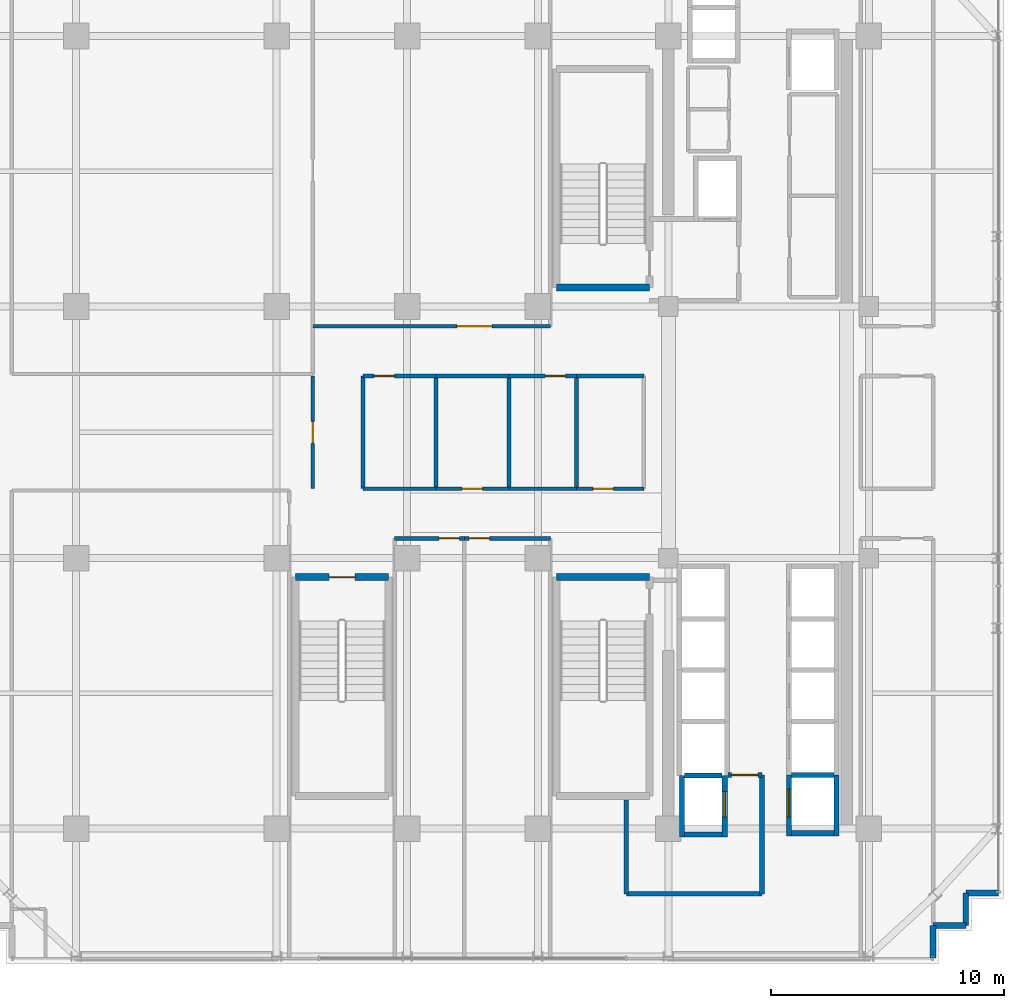
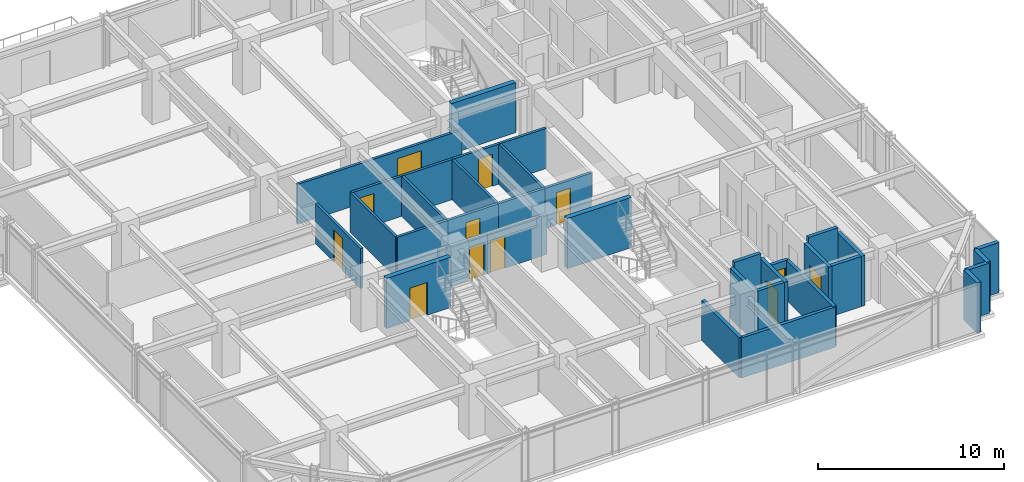
# One storey, part 26 of 32: 35 walls, 12 doors, 12 openings.
"""IFC4 building model written with IfcOpenShell, lengths in metres."""

from ifc_helpers import new_model, si_unit, direction, frame, frame_2d, origin, place, context, subcontext, project, spatial, rectangle, extrude, source, transform, mapped, material, layer, layer_set, type_object, element, fill, save


model = new_model("IFC4")

# Units and contexts
model_context = context("Model", 3, precision=1e-05, world=origin(), true_north=direction((0.0, 1.0)))
body_context = subcontext(model_context, "Body", "Model", "MODEL_VIEW")
ifc_project = project(units=[si_unit("LENGTHUNIT", "METRE"), si_unit("AREAUNIT", "SQUARE_METRE"), si_unit("VOLUMEUNIT", "CUBIC_METRE"), si_unit("PLANEANGLEUNIT", "RADIAN"), si_unit("MASSUNIT", "GRAM", prefix="KILO")], contexts=[model_context])

# Site, building, storey
site_placement = place(None, origin())
site = spatial("IfcSite", under=ifc_project, at=site_placement, CompositionType="ELEMENT")
building_placement = place(site_placement, origin())
building = spatial("IfcBuilding", under=site, at=building_placement, Name="Nahalor Promenade Grand Hotel", CompositionType="ELEMENT")
storey_placement = place(building_placement, frame((0.0, 0.0, 196.449951171875)))
storey = spatial("IfcBuildingStorey", under=building, at=storey_placement, Name="L50", CompositionType="ELEMENT", Elevation=196.449951171875)

# Walls
ifc_material_1 = material(Name="Concrete B-50 (C40/50)", Category="concrete")
ifc_layer_1 = layer(ifc_material_1, 0.300048828125)
ifc_layer_set_1 = layer_set([ifc_layer_1], Name="Concrete B-50 (C40/50)")
wall_type_1 = type_object("IfcWallType", Name="Wall-ShaftShear-300", PredefinedType="SHEAR", material=ifc_layer_set_1)
shared_shape_1 = source(origin(), body_context, "Body", "SweptSolid", [
    extrude(rectangle(XDim=3.97998046875, YDim=0.300048828125, at=frame_2d((1.989990234375, 0.0))), origin(), (0.0, 0.0, 1.0), 3.2900390625),
])
for number, where, z_axis, x_axis, name in (
    (1, (3.610107421875, 6.2099609375, 0.0), (0.0, 0.0, 1.0), (1.0, 0.0, 0.0), "L50 Exit Stair ST1 Shaft Wall S"),
    (2, (3.610107421875, -6.2099609375, 0.0), (0.0, 0.0, 1.0), (1.0, 0.0, 0.0), "L50 Exit Stair ST2 Shaft Wall N"),
):
    element("IfcWall", number, at=place(storey_placement, frame(where, z_axis=z_axis, x_axis=x_axis)), inside=storey, type_object=wall_type_1, Name=name, PredefinedType="SHEAR", context=body_context, shape_type="MappedRepresentation", body=[
        mapped(shared_shape_1, transform((0.0, 0.0, 0.0), scale=1.0)),
    ])

# Wall, opening, door
wall_1_placement = place(storey_placement, frame((-7.590087890625, -6.2099609375, 0.0), z_axis=(0.0, 0.0, 1.0), x_axis=(1.0, 0.0, 0.0)))
wall_1 = element("IfcWall", 3, at=wall_1_placement, inside=storey, type_object=wall_type_1, Name="L50 Exit Stair ST3 Shaft Wall N", PredefinedType="SHEAR", context=body_context, shape_type="MappedRepresentation", body=[
    mapped(shared_shape_1, transform((0.0, 0.0, 0.0), scale=1.0)),
])
opening_1_placement = place(wall_1_placement, frame((1.43994140625, 0.0, 0.0)))
opening_1 = element("IfcOpeningElement", 4, at=opening_1_placement, cuts=wall_1, Name="Opening D-ST1", PredefinedType="OPENING", context=body_context, shape_type="SweptSolid", body=[
    extrude(rectangle(XDim=1.10009765625, YDim=2.14990234375, at=frame_2d((0.550048828125, 1.074951171875))), frame((0.0, 0.159912109375, 0.0), z_axis=(0.0, -1.0, 0.0), x_axis=(1.0, 0.0, 0.0)), (0.0, 0.0, 1.0), 0.320068359375),
])
ifc_material_2 = material(Name="Steel S355JR", Category="steel")
door_type_1 = type_object("IfcDoorType", Name="Door-StairFire-1100", OperationType="NOTDEFINED", PredefinedType="DOOR", material=ifc_material_2)
shared_shape_2 = source(origin(), body_context, "Body", "SweptSolid", [
    extrude(rectangle(XDim=1.10009765625, YDim=2.14990234375, at=frame_2d((0.550048828125, 1.074951171875))), frame((0.0, 0.02490234375, 0.0), z_axis=(0.0, -1.0, 0.0), x_axis=(1.0, 0.0, 0.0)), (0.0, 0.0, 1.0), 0.050048828125),
])
door_1_placement = place(opening_1_placement, frame((1.10009765625, 0.0, 0.0), z_axis=(0.0, 0.0, 1.0), x_axis=(-1.0, 0.0, 0.0)))
door_1 = element("IfcDoor", 5, at=door_1_placement, inside=storey, type_object=door_type_1, Name="DR-STAIR-ST3-L50", OperationType="SINGLE_SWING_LEFT", OverallHeight=2.14990234375, OverallWidth=1.10009765625, PredefinedType="DOOR", context=body_context, shape_type="MappedRepresentation", body=[
    mapped(shared_shape_2, transform((0.0, 0.0, 0.0), scale=1.0)),
])
fill(opening_1, door_1)

# Walls
ifc_layer_2 = layer(ifc_material_1, 0.219970703125)
ifc_layer_set_2 = layer_set([ifc_layer_2], Name="Concrete B-50 (C40/50)")
wall_type_2 = type_object("IfcWallType", Name="Wall-LiftShaft-220", PredefinedType="SHEAR", material=ifc_layer_set_2)
shared_shape_3 = source(origin(), body_context, "Body", "SweptSolid", [
    extrude(rectangle(XDim=1.820068359375, YDim=0.219970703125, at=frame_2d((0.91015625, 0.0))), origin(), (0.0, 0.0, 1.0), 3.650146484375),
])
wall_2_placement = place(storey_placement, frame((13.68994140625, -14.699951171875, 0.0), z_axis=(0.0, 0.0, 1.0), x_axis=(1.0, 0.0, 0.0)))
element("IfcWall", 6, at=wall_2_placement, inside=storey, type_object=wall_type_2, Name="L50 Lift SV2 Hoistway Wall N", PredefinedType="SHEAR", context=body_context, shape_type="MappedRepresentation", body=[
    mapped(shared_shape_3, transform((0.0, 0.0, 0.0), scale=1.0)),
])
shared_shape_4 = source(origin(), body_context, "Body", "SweptSolid", [
    extrude(rectangle(XDim=1.820068359375, YDim=0.219970703125, at=frame_2d((0.91015625, 0.0))), origin(), (0.0, 0.0, 1.0), 3.2900390625),
])
wall_3_placement = place(storey_placement, frame((13.68994140625, -17.199951171875, 0.0), z_axis=(0.0, 0.0, 1.0), x_axis=(1.0, 0.0, 0.0)))
element("IfcWall", 7, at=wall_3_placement, inside=storey, type_object=wall_type_2, Name="L50 Lift SV2 Hoistway Wall S", PredefinedType="SHEAR", context=body_context, shape_type="MappedRepresentation", body=[
    mapped(shared_shape_4, transform((0.0, 0.0, 0.0), scale=1.0)),
])
shared_shape_5 = source(origin(), body_context, "Body", "SweptSolid", [
    extrude(rectangle(XDim=1.619873046875, YDim=0.219970703125, at=frame_2d((0.81005859375, 0.0))), origin(), (0.0, 0.0, 1.0), 3.650146484375),
])
wall_4_placement = place(storey_placement, frame((9.090087890625, -14.72509765625, 0.0), z_axis=(0.0, 0.0, 1.0), x_axis=(1.0, 0.0, 0.0)))
element("IfcWall", 8, at=wall_4_placement, inside=storey, type_object=wall_type_2, Name="L50 Lift FL2 Hoistway Wall N", PredefinedType="SHEAR", context=body_context, shape_type="MappedRepresentation", body=[
    mapped(shared_shape_5, transform((0.0, 0.0, 0.0), scale=1.0)),
])
shared_shape_6 = source(origin(), body_context, "Body", "SweptSolid", [
    extrude(rectangle(XDim=2.635009765625, YDim=0.219970703125, at=frame_2d((1.3173828125, 0.0))), origin(), (0.0, 0.0, 1.0), 3.2900390625),
])
wall_5_placement = place(storey_placement, frame((8.97998046875, -17.360107421875, 0.0), z_axis=(0.0, 0.0, 1.0), x_axis=(0.0, 1.0, 0.0)))
element("IfcWall", 9, at=wall_5_placement, inside=storey, type_object=wall_type_2, Name="L50 Lift FL2 Hoistway Wall W", PredefinedType="SHEAR", context=body_context, shape_type="MappedRepresentation", body=[
    mapped(shared_shape_6, transform((0.0, 0.0, 0.0), scale=1.0)),
])

# Wall, opening, door
wall_6_placement = place(storey_placement, frame((10.820068359375, -17.360107421875, 0.0), z_axis=(0.0, 0.0, 1.0), x_axis=(0.0, 1.0, 0.0)))
wall_6 = element("IfcWall", 10, at=wall_6_placement, inside=storey, type_object=wall_type_2, Name="L50 Lift FL2 Hoistway Wall E", PredefinedType="SHEAR", context=body_context, shape_type="MappedRepresentation", body=[
    mapped(shared_shape_6, transform((0.0, 0.0, 0.0), scale=1.0)),
])
opening_2_placement = place(wall_6_placement, frame((0.860107421875, 0.0, 0.0)))
opening_2 = element("IfcOpeningElement", 11, at=opening_2_placement, cuts=wall_6, Name="Opening LD-02", PredefinedType="OPENING", context=body_context, shape_type="SweptSolid", body=[
    extrude(rectangle(XDim=1.10009765625, YDim=2.199951171875, at=frame_2d((0.550048828125, 1.10009765625))), frame((0.0, 0.119873046875, 0.0), z_axis=(0.0, -1.0, 0.0), x_axis=(1.0, 0.0, 0.0)), (0.0, 0.0, 1.0), 0.239990234375),
])
door_type_2 = type_object("IfcDoorType", Name="Door-LiftFF-1100", OperationType="DOUBLE_DOOR_SLIDING", PredefinedType="DOOR", material=ifc_material_2)
shared_shape_7 = source(origin(), body_context, "Body", "SweptSolid", [
    extrude(rectangle(XDim=1.10009765625, YDim=2.199951171875, at=frame_2d((0.550048828125, 1.10009765625))), frame((0.0, 0.02490234375, 0.0), z_axis=(0.0, -1.0, 0.0), x_axis=(1.0, 0.0, 0.0)), (0.0, 0.0, 1.0), 0.050048828125),
])
door_2_placement = place(opening_2_placement, frame((1.10009765625, 0.0, 0.0), z_axis=(0.0, 0.0, 1.0), x_axis=(-1.0, 0.0, 0.0)))
door_2 = element("IfcDoor", 12, at=door_2_placement, inside=storey, type_object=door_type_2, Name="DR-LIFT-FL2-L50", OperationType="DOUBLE_DOOR_SLIDING", OverallHeight=2.199951171875, OverallWidth=1.10009765625, PredefinedType="DOOR", context=body_context, shape_type="MappedRepresentation", body=[
    mapped(shared_shape_7, transform((0.0, 0.0, 0.0), scale=1.0)),
])
fill(opening_2, door_2)

# Wall
shared_shape_8 = source(origin(), body_context, "Body", "SweptSolid", [
    extrude(rectangle(XDim=1.619873046875, YDim=0.219970703125, at=frame_2d((0.81005859375, 0.0))), origin(), (0.0, 0.0, 1.0), 3.2900390625),
])
wall_7_placement = place(storey_placement, frame((9.090087890625, -17.25, 0.0), z_axis=(0.0, 0.0, 1.0), x_axis=(1.0, 0.0, 0.0)))
element("IfcWall", 13, at=wall_7_placement, inside=storey, type_object=wall_type_2, Name="L50 Lift FL2 Hoistway Wall S", PredefinedType="SHEAR", context=body_context, shape_type="MappedRepresentation", body=[
    mapped(shared_shape_8, transform((0.0, 0.0, 0.0), scale=1.0)),
])

# Wall, opening, door
shared_shape_9 = source(origin(), body_context, "Body", "SweptSolid", [
    extrude(rectangle(XDim=2.610107421875, YDim=0.219970703125, at=frame_2d((1.30517578125, 0.0))), origin(), (0.0, 0.0, 1.0), 3.2900390625),
])
wall_8_placement = place(storey_placement, frame((13.580078125, -17.31005859375, 0.0), z_axis=(0.0, 0.0, 1.0), x_axis=(0.0, 1.0, 0.0)))
wall_8 = element("IfcWall", 14, at=wall_8_placement, inside=storey, type_object=wall_type_2, Name="L50 Lift SV2 Hoistway Wall W", PredefinedType="SHEAR", context=body_context, shape_type="MappedRepresentation", body=[
    mapped(shared_shape_9, transform((0.0, 0.0, 0.0), scale=1.0)),
])
opening_3_placement = place(wall_8_placement, frame((0.81005859375, 0.0, 0.0)))
opening_3 = element("IfcOpeningElement", 15, at=opening_3_placement, cuts=wall_8, Name="Opening LD-03", PredefinedType="OPENING", context=body_context, shape_type="SweptSolid", body=[
    extrude(rectangle(XDim=1.199951171875, YDim=2.199951171875, at=frame_2d((0.60009765625, 1.10009765625))), frame((0.0, 0.119873046875, 0.0), z_axis=(0.0, -1.0, 0.0), x_axis=(1.0, 0.0, 0.0)), (0.0, 0.0, 1.0), 0.239990234375),
])
door_type_3 = type_object("IfcDoorType", Name="Door-LiftService-1200", OperationType="DOUBLE_DOOR_SLIDING", PredefinedType="DOOR", material=ifc_material_2)
shared_shape_10 = source(origin(), body_context, "Body", "SweptSolid", [
    extrude(rectangle(XDim=1.199951171875, YDim=2.199951171875, at=frame_2d((0.60009765625, 1.10009765625))), frame((0.0, 0.02490234375, 0.0), z_axis=(0.0, -1.0, 0.0), x_axis=(1.0, 0.0, 0.0)), (0.0, 0.0, 1.0), 0.050048828125),
])
door_3_placement = place(opening_3_placement, origin())
door_3 = element("IfcDoor", 16, at=door_3_placement, inside=storey, type_object=door_type_3, Name="DR-LIFT-SV2-L50", OperationType="DOUBLE_DOOR_SLIDING", OverallHeight=2.199951171875, OverallWidth=1.199951171875, PredefinedType="DOOR", context=body_context, shape_type="MappedRepresentation", body=[
    mapped(shared_shape_10, transform((0.0, 0.0, 0.0), scale=1.0)),
])
fill(opening_3, door_3)

# Walls
wall_9_placement = place(storey_placement, frame((15.6201171875, -17.31005859375, 0.0), z_axis=(0.0, 0.0, 1.0), x_axis=(0.0, 1.0, 0.0)))
element("IfcWall", 17, at=wall_9_placement, inside=storey, type_object=wall_type_2, Name="L50 Lift SV2 Hoistway Wall E", PredefinedType="SHEAR", context=body_context, shape_type="MappedRepresentation", body=[
    mapped(shared_shape_9, transform((0.0, 0.0, 0.0), scale=1.0)),
])
ifc_material_3 = material(Name="Concrete B-40 (C32/40)", Category="concrete")
ifc_layer_3 = layer(ifc_material_3, 0.25)
ifc_layer_set_3 = layer_set([ifc_layer_3], Name="Concrete B-40 (C32/40)")
wall_type_3 = type_object("IfcWallType", Name="Wall-BronzePier-250", PredefinedType="STANDARD", material=ifc_layer_set_3)
shared_shape_11 = source(origin(), body_context, "Body", "SweptSolid", [
    extrude(rectangle(XDim=1.400146484375, YDim=0.25, at=frame_2d((0.7001953125, 0.0))), origin(), (0.0, 0.0, 1.0), 3.2900390625),
])
for number, where, z_axis, x_axis, name in (
    (18, (19.760009765625, -22.56005859375, 0.0), (0.0, 0.0, 1.0), (0.0, 1.0, 0.0), "W-L50-SR-01"),
    (19, (21.159912109375, -19.760009765625, 0.0), (0.0, 0.0, 1.0), (1.0, 0.0, 0.0), "W-L50-SR-04"),
):
    element("IfcWall", number, at=place(storey_placement, frame(where, z_axis=z_axis, x_axis=x_axis)), inside=storey, type_object=wall_type_3, Name=name, PredefinedType="STANDARD", context=body_context, shape_type="MappedRepresentation", body=[
        mapped(shared_shape_11, transform((0.0, 0.0, 0.0), scale=1.0)),
    ])
shared_shape_12 = source(origin(), body_context, "Body", "SweptSolid", [
    extrude(rectangle(XDim=1.39990234375, YDim=0.25, at=frame_2d((0.699951171875, 0.0))), origin(), (0.0, 0.0, 1.0), 3.2900390625),
])
for number, where, z_axis, x_axis, name in (
    (20, (19.760009765625, -21.159912109375, 0.0), (0.0, 0.0, 1.0), (1.0, 0.0, 0.0), "W-L50-SR-02"),
    (21, (21.159912109375, -21.159912109375, 0.0), (0.0, 0.0, 1.0), (0.0, 1.0, 0.0), "W-L50-SR-03"),
):
    element("IfcWall", number, at=place(storey_placement, frame(where, z_axis=z_axis, x_axis=x_axis)), inside=storey, type_object=wall_type_3, Name=name, PredefinedType="STANDARD", context=body_context, shape_type="MappedRepresentation", body=[
        mapped(shared_shape_12, transform((0.0, 0.0, 0.0), scale=1.0)),
    ])
ifc_layer_4 = layer(ifc_material_3, 0.199951171875)
ifc_layer_set_4 = layer_set([ifc_layer_4], Name="Concrete B-40 (C32/40)")
wall_type_4 = type_object("IfcWallType", Name="Wall-PartFire-200", PredefinedType="PARTITIONING", material=ifc_layer_set_4)
shared_shape_13 = source(origin(), body_context, "Body", "SweptSolid", [
    extrude(rectangle(XDim=5.81982421875, YDim=0.199951171875, at=frame_2d((2.909912109375, 0.0))), origin(), (0.0, 0.0, 1.0), 2.630126953125),
])
wall_10_placement = place(storey_placement, frame((6.60009765625, -19.800048828125, 0.0), z_axis=(0.0, 0.0, 1.0), x_axis=(1.0, 0.0, 0.0)))
element("IfcWall", 22, at=wall_10_placement, inside=storey, type_object=wall_type_4, Name="W-L50-FF2-S1", PredefinedType="PARTITIONING", context=body_context, shape_type="MappedRepresentation", body=[
    mapped(shared_shape_13, transform((0.0, 0.0, 0.0), scale=1.0)),
])
shared_shape_14 = source(origin(), body_context, "Body", "SweptSolid", [
    extrude(rectangle(XDim=4.030029296875, YDim=0.199951171875, at=frame_2d((2.01513671875, 0.0))), origin(), (0.0, 0.0, 1.0), 2.630126953125),
])
wall_11_placement = place(storey_placement, frame((6.60009765625, -19.800048828125, 0.0), z_axis=(0.0, 0.0, 1.0), x_axis=(0.0, 1.0, 0.0)))
element("IfcWall", 23, at=wall_11_placement, inside=storey, type_object=wall_type_4, Name="W-L50-FF2-W1", PredefinedType="PARTITIONING", context=body_context, shape_type="MappedRepresentation", body=[
    mapped(shared_shape_14, transform((0.0, 0.0, 0.0), scale=1.0)),
])
shared_shape_15 = source(origin(), body_context, "Body", "SweptSolid", [
    extrude(rectangle(XDim=5.10009765625, YDim=0.199951171875, at=frame_2d((2.550048828125, 0.0))), origin(), (0.0, 0.0, 1.0), 2.630126953125),
])
wall_12_placement = place(storey_placement, frame((12.419921875, -19.800048828125, 0.0), z_axis=(0.0, 0.0, 1.0), x_axis=(0.0, 1.0, 0.0)))
element("IfcWall", 24, at=wall_12_placement, inside=storey, type_object=wall_type_4, Name="W-L50-FF2-E", PredefinedType="PARTITIONING", context=body_context, shape_type="MappedRepresentation", body=[
    mapped(shared_shape_15, transform((0.0, 0.0, 0.0), scale=1.0)),
])

# Wall, opening, door
shared_shape_16 = source(origin(), body_context, "Body", "SweptSolid", [
    extrude(rectangle(XDim=1.4599609375, YDim=0.199951171875, at=frame_2d((0.72998046875, 0.0))), origin(), (0.0, 0.0, 1.0), 2.630126953125),
])
wall_13_placement = place(storey_placement, frame((10.9599609375, -14.699951171875, 0.0), z_axis=(0.0, 0.0, 1.0), x_axis=(1.0, 0.0, 0.0)))
wall_13 = element("IfcWall", 25, at=wall_13_placement, inside=storey, type_object=wall_type_4, Name="W-L50-FF2-N1", PredefinedType="PARTITIONING", context=body_context, shape_type="MappedRepresentation", body=[
    mapped(shared_shape_16, transform((0.0, 0.0, 0.0), scale=1.0)),
])
opening_4_placement = place(wall_13_placement, frame((0.14501953125, 0.0, 0.0)))
opening_4 = element("IfcOpeningElement", 26, at=opening_4_placement, cuts=wall_13, Name="Opening D-FF1", PredefinedType="OPENING", context=body_context, shape_type="SweptSolid", body=[
    extrude(rectangle(XDim=1.14990234375, YDim=2.14990234375, at=frame_2d((0.574951171875, 1.074951171875))), frame((0.0, 0.10986328125, 0.0), z_axis=(0.0, -1.0, 0.0), x_axis=(1.0, 0.0, 0.0)), (0.0, 0.0, 1.0), 0.219970703125),
])
door_type_4 = type_object("IfcDoorType", Name="Door-FFLobby-1150", OperationType="NOTDEFINED", PredefinedType="DOOR", material=ifc_material_2)
shared_shape_17 = source(origin(), body_context, "Body", "SweptSolid", [
    extrude(rectangle(XDim=1.14990234375, YDim=2.14990234375, at=frame_2d((0.574951171875, 1.074951171875))), frame((0.0, 0.02490234375, 0.0), z_axis=(0.0, -1.0, 0.0), x_axis=(1.0, 0.0, 0.0)), (0.0, 0.0, 1.0), 0.050048828125),
])
door_4_placement = place(opening_4_placement, origin())
door_4 = element("IfcDoor", 27, at=door_4_placement, inside=storey, type_object=door_type_4, Name="DR-L50-FFL2", OperationType="SINGLE_SWING_LEFT", OverallHeight=2.14990234375, OverallWidth=1.14990234375, PredefinedType="DOOR", context=body_context, shape_type="MappedRepresentation", body=[
    mapped(shared_shape_17, transform((0.0, 0.0, 0.0), scale=1.0)),
])
fill(opening_4, door_4)

ifc_material_4 = material(Name="Acoustic Mineral Gypsum", Category="gypsum")
ifc_layer_5 = layer(ifc_material_4, 0.159912109375)
ifc_layer_set_5 = layer_set([ifc_layer_5], Name="Acoustic Mineral Gypsum")
wall_type_5 = type_object("IfcWallType", Name="Wall-PartCorridor-160", PredefinedType="PARTITIONING", material=ifc_layer_set_5)
shared_shape_18 = source(origin(), body_context, "Body", "SweptSolid", [
    extrude(rectangle(XDim=10.190185546875, YDim=0.159912109375, at=frame_2d((5.09521484375, 0.0))), origin(), (0.0, 0.0, 1.0), 2.630126953125),
])
wall_14_placement = place(storey_placement, frame((-6.85009765625, 4.550048828125, 0.0), z_axis=(0.0, 0.0, 1.0), x_axis=(1.0, 0.0, 0.0)))
wall_14 = element("IfcWall", 28, at=wall_14_placement, inside=storey, type_object=wall_type_5, Name="W-L50-CORR-N", PredefinedType="PARTITIONING", context=body_context, shape_type="MappedRepresentation", body=[
    mapped(shared_shape_18, transform((0.0, 0.0, 0.0), scale=1.0)),
])
opening_5_placement = place(wall_14_placement, frame((6.177978515625, 0.0, 0.0)))
opening_5 = element("IfcOpeningElement", 29, at=opening_5_placement, cuts=wall_14, Name="Opening D-02", PredefinedType="OPENING", context=body_context, shape_type="SweptSolid", body=[
    extrude(rectangle(XDim=1.5, YDim=2.14990234375, at=frame_2d((0.75, 1.074951171875))), frame((0.0, 0.08984375, 0.0), z_axis=(0.0, -1.0, 0.0), x_axis=(1.0, 0.0, 0.0)), (0.0, 0.0, 1.0), 0.179931640625),
])
ifc_material_5 = material(Name="Fire-Rated Timber Composite", Category="wood")
door_type_5 = type_object("IfcDoorType", Name="Door-SuiteDouble-1500", OperationType="DOUBLE_DOOR_SINGLE_SWING", PredefinedType="DOOR", material=ifc_material_5)
shared_shape_19 = source(origin(), body_context, "Body", "SweptSolid", [
    extrude(rectangle(XDim=1.5, YDim=2.14990234375, at=frame_2d((0.75, 1.074951171875))), frame((0.0, 0.02490234375, 0.0), z_axis=(0.0, -1.0, 0.0), x_axis=(1.0, 0.0, 0.0)), (0.0, 0.0, 1.0), 0.050048828125),
])
door_5_placement = place(opening_5_placement, origin())
door_5 = element("IfcDoor", 30, at=door_5_placement, inside=storey, type_object=door_type_5, Name="DR-L50-N1-ENT", OperationType="DOUBLE_DOOR_SINGLE_SWING", OverallHeight=2.14990234375, OverallWidth=1.5, PredefinedType="DOOR", context=body_context, shape_type="MappedRepresentation", body=[
    mapped(shared_shape_19, transform((0.0, 0.0, 0.0), scale=1.0)),
])
fill(opening_5, door_5)

shared_shape_20 = source(origin(), body_context, "Body", "SweptSolid", [
    extrude(rectangle(XDim=2.989990234375, YDim=0.159912109375, at=frame_2d((1.4951171875, 0.0))), origin(), (0.0, 0.0, 1.0), 2.630126953125),
])
wall_15_placement = place(storey_placement, frame((-3.340087890625, -4.550048828125, 0.0), z_axis=(0.0, 0.0, 1.0), x_axis=(1.0, 0.0, 0.0)))
wall_15 = element("IfcWall", 31, at=wall_15_placement, inside=storey, type_object=wall_type_5, Name="W-L50-SCB1-N", PredefinedType="PARTITIONING", context=body_context, shape_type="MappedRepresentation", body=[
    mapped(shared_shape_20, transform((0.0, 0.0, 0.0), scale=1.0)),
])
opening_6_placement = place(wall_15_placement, frame((1.89990234375, 0.0, 0.0)))
opening_6 = element("IfcOpeningElement", 32, at=opening_6_placement, cuts=wall_15, Name="Opening D-03", PredefinedType="OPENING", context=body_context, shape_type="SweptSolid", body=[
    extrude(rectangle(XDim=0.8798828125, YDim=2.10009765625, at=frame_2d((0.43994140625, 1.050048828125))), frame((0.0, 0.08984375, 0.0), z_axis=(0.0, -1.0, 0.0), x_axis=(1.0, 0.0, 0.0)), (0.0, 0.0, 1.0), 0.179931640625),
])
door_type_6 = type_object("IfcDoorType", Name="Door-BathSwing-880", OperationType="NOTDEFINED", PredefinedType="DOOR", material=ifc_material_5)
shared_shape_21 = source(origin(), body_context, "Body", "SweptSolid", [
    extrude(rectangle(XDim=0.8798828125, YDim=2.10009765625, at=frame_2d((0.43994140625, 1.050048828125))), frame((0.0, 0.02490234375, 0.0), z_axis=(0.0, -1.0, 0.0), x_axis=(1.0, 0.0, 0.0)), (0.0, 0.0, 1.0), 0.050048828125),
])
door_6_placement = place(opening_6_placement, frame((0.8798828125, 0.0, 0.0), z_axis=(0.0, 0.0, 1.0), x_axis=(-1.0, 0.0, 0.0)))
door_6 = element("IfcDoor", 33, at=door_6_placement, inside=storey, type_object=door_type_6, Name="DR-L50-SCB1", OperationType="SINGLE_SWING_LEFT", OverallHeight=2.10009765625, OverallWidth=0.8798828125, PredefinedType="DOOR", context=body_context, shape_type="MappedRepresentation", body=[
    mapped(shared_shape_21, transform((0.0, 0.0, 0.0), scale=1.0)),
])
fill(opening_6, door_6)

shared_shape_22 = source(origin(), body_context, "Body", "SweptSolid", [
    extrude(rectangle(XDim=3.690185546875, YDim=0.159912109375, at=frame_2d((1.84521484375, 0.0))), origin(), (0.0, 0.0, 1.0), 2.630126953125),
])
wall_16_placement = place(storey_placement, frame((-0.35009765625, -4.550048828125, 0.0), z_axis=(0.0, 0.0, 1.0), x_axis=(1.0, 0.0, 0.0)))
wall_16 = element("IfcWall", 34, at=wall_16_placement, inside=storey, type_object=wall_type_5, Name="W-L50-SCB2-N", PredefinedType="PARTITIONING", context=body_context, shape_type="MappedRepresentation", body=[
    mapped(shared_shape_22, transform((0.0, 0.0, 0.0), scale=1.0)),
])
opening_7_placement = place(wall_16_placement, frame((0.2099609375, 0.0, 0.0)))
opening_7 = element("IfcOpeningElement", 35, at=opening_7_placement, cuts=wall_16, Name="Opening D-03", PredefinedType="OPENING", context=body_context, shape_type="SweptSolid", body=[
    extrude(rectangle(XDim=0.8798828125, YDim=2.10009765625, at=frame_2d((0.43994140625, 1.050048828125))), frame((0.0, 0.08984375, 0.0), z_axis=(0.0, -1.0, 0.0), x_axis=(1.0, 0.0, 0.0)), (0.0, 0.0, 1.0), 0.179931640625),
])
door_7_placement = place(opening_7_placement, frame((0.8798828125, 0.0, 0.0), z_axis=(0.0, 0.0, 1.0), x_axis=(-1.0, 0.0, 0.0)))
door_7 = element("IfcDoor", 36, at=door_7_placement, inside=storey, type_object=door_type_6, Name="DR-L50-SCB2", OperationType="SINGLE_SWING_RIGHT", OverallHeight=2.10009765625, OverallWidth=0.8798828125, PredefinedType="DOOR", context=body_context, shape_type="MappedRepresentation", body=[
    mapped(shared_shape_21, transform((0.0, 0.0, 0.0), scale=1.0)),
])
fill(opening_7, door_7)

shared_shape_23 = source(origin(), body_context, "Body", "SweptSolid", [
    extrude(rectangle(XDim=4.83984375, YDim=0.159912109375, at=frame_2d((2.419921875, 0.0))), origin(), (0.0, 0.0, 1.0), 2.630126953125),
])
wall_17_placement = place(storey_placement, frame((-6.85009765625, -2.419921875, 0.0), z_axis=(0.0, 0.0, 1.0), x_axis=(0.0, 1.0, 0.0)))
wall_17 = element("IfcWall", 37, at=wall_17_placement, inside=storey, type_object=wall_type_5, Name="W-L50-WEST-E", PredefinedType="PARTITIONING", context=body_context, shape_type="MappedRepresentation", body=[
    mapped(shared_shape_23, transform((0.0, 0.0, 0.0), scale=1.0)),
])
opening_8_placement = place(wall_17_placement, frame((1.945068359375, 0.0, 0.0)))
opening_8 = element("IfcOpeningElement", 38, at=opening_8_placement, cuts=wall_17, Name="Opening D-01", PredefinedType="OPENING", context=body_context, shape_type="SweptSolid", body=[
    extrude(rectangle(XDim=0.949951171875, YDim=2.10009765625, at=frame_2d((0.47509765625, 1.050048828125))), frame((0.0, 0.08984375, 0.0), z_axis=(0.0, -1.0, 0.0), x_axis=(1.0, 0.0, 0.0)), (0.0, 0.0, 1.0), 0.179931640625),
])
door_type_7 = type_object("IfcDoorType", Name="Door-GuestEntry-950", OperationType="NOTDEFINED", PredefinedType="DOOR", material=ifc_material_5)
shared_shape_24 = source(origin(), body_context, "Body", "SweptSolid", [
    extrude(rectangle(XDim=0.949951171875, YDim=2.10009765625, at=frame_2d((0.47509765625, 1.050048828125))), frame((0.0, 0.02490234375, 0.0), z_axis=(0.0, -1.0, 0.0), x_axis=(1.0, 0.0, 0.0)), (0.0, 0.0, 1.0), 0.050048828125),
])
door_8_placement = place(opening_8_placement, origin())
door_8 = element("IfcDoor", 39, at=door_8_placement, inside=storey, type_object=door_type_7, Name="DR-L50-W1-ENT", OperationType="SINGLE_SWING_RIGHT", OverallHeight=2.10009765625, OverallWidth=0.949951171875, PredefinedType="DOOR", context=body_context, shape_type="MappedRepresentation", body=[
    mapped(shared_shape_24, transform((0.0, 0.0, 0.0), scale=1.0)),
])
fill(opening_8, door_8)

# Walls
for number, where, z_axis, x_axis, name in (
    (40, (-4.699951171875, -2.419921875, 0.0), (0.0, 0.0, 1.0), (0.0, 1.0, 0.0), "W-L50-CM1-W"),
    (41, (-1.56689453125, -2.419921875, 0.0), (0.0, 0.0, 1.0), (0.0, 1.0, 0.0), "W-L50-CM1-E"),
    (42, (1.56591796875, -2.419921875, 0.0), (0.0, 0.0, 1.0), (0.0, 1.0, 0.0), "W-L50-CM2-E"),
    (43, (4.4580078125, -2.419921875, 0.0), (0.0, 0.0, 1.0), (0.0, 1.0, 0.0), "W-L50-CM3-E"),
):
    element("IfcWall", number, at=place(storey_placement, frame(where, z_axis=z_axis, x_axis=x_axis)), inside=storey, type_object=wall_type_5, Name=name, PredefinedType="PARTITIONING", context=body_context, shape_type="MappedRepresentation", body=[
        mapped(shared_shape_23, transform((0.0, 0.0, 0.0), scale=1.0)),
    ])
shared_shape_25 = source(origin(), body_context, "Body", "SweptSolid", [
    extrude(rectangle(XDim=3.133056640625, YDim=0.159912109375, at=frame_2d((1.56640625, 0.0))), origin(), (0.0, 0.0, 1.0), 2.630126953125),
])
wall_18_placement = place(storey_placement, frame((-4.699951171875, -2.419921875, 0.0), z_axis=(0.0, 0.0, 1.0), x_axis=(1.0, 0.0, 0.0)))
element("IfcWall", 44, at=wall_18_placement, inside=storey, type_object=wall_type_5, Name="W-L50-CM1-S", PredefinedType="PARTITIONING", context=body_context, shape_type="MappedRepresentation", body=[
    mapped(shared_shape_25, transform((0.0, 0.0, 0.0), scale=1.0)),
])

# Wall, opening, door
wall_19_placement = place(storey_placement, frame((-4.699951171875, 2.419921875, 0.0), z_axis=(0.0, 0.0, 1.0), x_axis=(1.0, 0.0, 0.0)))
wall_19 = element("IfcWall", 45, at=wall_19_placement, inside=storey, type_object=wall_type_5, Name="W-L50-CM1-N", PredefinedType="PARTITIONING", context=body_context, shape_type="MappedRepresentation", body=[
    mapped(shared_shape_25, transform((0.0, 0.0, 0.0), scale=1.0)),
])
opening_9_placement = place(wall_19_placement, frame((0.469970703125, 0.0, 0.0)))
opening_9 = element("IfcOpeningElement", 46, at=opening_9_placement, cuts=wall_19, Name="Opening D-03", PredefinedType="OPENING", context=body_context, shape_type="SweptSolid", body=[
    extrude(rectangle(XDim=0.8798828125, YDim=2.10009765625, at=frame_2d((0.43994140625, 1.050048828125))), frame((0.0, 0.08984375, 0.0), z_axis=(0.0, -1.0, 0.0), x_axis=(1.0, 0.0, 0.0)), (0.0, 0.0, 1.0), 0.179931640625),
])
door_9_placement = place(opening_9_placement, frame((0.8798828125, 0.0, 0.0), z_axis=(0.0, 0.0, 1.0), x_axis=(-1.0, 0.0, 0.0)))
door_9 = element("IfcDoor", 47, at=door_9_placement, inside=storey, type_object=door_type_6, Name="DR-L50-CM1", OperationType="SINGLE_SWING_LEFT", OverallHeight=2.10009765625, OverallWidth=0.8798828125, PredefinedType="DOOR", context=body_context, shape_type="MappedRepresentation", body=[
    mapped(shared_shape_21, transform((0.0, 0.0, 0.0), scale=1.0)),
])
fill(opening_9, door_9)

shared_shape_26 = source(origin(), body_context, "Body", "SweptSolid", [
    extrude(rectangle(XDim=3.1328125, YDim=0.159912109375, at=frame_2d((1.56640625, 0.0))), origin(), (0.0, 0.0, 1.0), 2.630126953125),
])
wall_20_placement = place(storey_placement, frame((-1.56689453125, -2.419921875, 0.0), z_axis=(0.0, 0.0, 1.0), x_axis=(1.0, 0.0, 0.0)))
wall_20 = element("IfcWall", 48, at=wall_20_placement, inside=storey, type_object=wall_type_5, Name="W-L50-CM2-S", PredefinedType="PARTITIONING", context=body_context, shape_type="MappedRepresentation", body=[
    mapped(shared_shape_26, transform((0.0, 0.0, 0.0), scale=1.0)),
])
opening_10_placement = place(wall_20_placement, frame((1.126953125, 0.0, 0.0)))
opening_10 = element("IfcOpeningElement", 49, at=opening_10_placement, cuts=wall_20, Name="Opening D-03", PredefinedType="OPENING", context=body_context, shape_type="SweptSolid", body=[
    extrude(rectangle(XDim=0.8798828125, YDim=2.10009765625, at=frame_2d((0.43994140625, 1.050048828125))), frame((0.0, 0.08984375, 0.0), z_axis=(0.0, -1.0, 0.0), x_axis=(1.0, 0.0, 0.0)), (0.0, 0.0, 1.0), 0.179931640625),
])
door_10_placement = place(opening_10_placement, origin())
door_10 = element("IfcDoor", 50, at=door_10_placement, inside=storey, type_object=door_type_6, Name="DR-L50-CM2", OperationType="SINGLE_SWING_RIGHT", OverallHeight=2.10009765625, OverallWidth=0.8798828125, PredefinedType="DOOR", context=body_context, shape_type="MappedRepresentation", body=[
    mapped(shared_shape_21, transform((0.0, 0.0, 0.0), scale=1.0)),
])
fill(opening_10, door_10)

# Walls
wall_21_placement = place(storey_placement, frame((-1.56689453125, 2.419921875, 0.0), z_axis=(0.0, 0.0, 1.0), x_axis=(1.0, 0.0, 0.0)))
element("IfcWall", 51, at=wall_21_placement, inside=storey, type_object=wall_type_5, Name="W-L50-CM2-N", PredefinedType="PARTITIONING", context=body_context, shape_type="MappedRepresentation", body=[
    mapped(shared_shape_26, transform((0.0, 0.0, 0.0), scale=1.0)),
])
shared_shape_27 = source(origin(), body_context, "Body", "SweptSolid", [
    extrude(rectangle(XDim=2.89208984375, YDim=0.159912109375, at=frame_2d((1.446044921875, 0.0))), origin(), (0.0, 0.0, 1.0), 2.630126953125),
])
wall_22_placement = place(storey_placement, frame((1.56591796875, -2.419921875, 0.0), z_axis=(0.0, 0.0, 1.0), x_axis=(1.0, 0.0, 0.0)))
element("IfcWall", 52, at=wall_22_placement, inside=storey, type_object=wall_type_5, Name="W-L50-CM3-S", PredefinedType="PARTITIONING", context=body_context, shape_type="MappedRepresentation", body=[
    mapped(shared_shape_27, transform((0.0, 0.0, 0.0), scale=1.0)),
])

# Wall, opening, door
wall_23_placement = place(storey_placement, frame((1.56591796875, 2.419921875, 0.0), z_axis=(0.0, 0.0, 1.0), x_axis=(1.0, 0.0, 0.0)))
wall_23 = element("IfcWall", 53, at=wall_23_placement, inside=storey, type_object=wall_type_5, Name="W-L50-CM3-N", PredefinedType="PARTITIONING", context=body_context, shape_type="MappedRepresentation", body=[
    mapped(shared_shape_27, transform((0.0, 0.0, 0.0), scale=1.0)),
])
opening_11_placement = place(wall_23_placement, frame((1.547119140625, 0.0, 0.0)))
opening_11 = element("IfcOpeningElement", 54, at=opening_11_placement, cuts=wall_23, Name="Opening D-03", PredefinedType="OPENING", context=body_context, shape_type="SweptSolid", body=[
    extrude(rectangle(XDim=0.8798828125, YDim=2.10009765625, at=frame_2d((0.43994140625, 1.050048828125))), frame((0.0, 0.08984375, 0.0), z_axis=(0.0, -1.0, 0.0), x_axis=(1.0, 0.0, 0.0)), (0.0, 0.0, 1.0), 0.179931640625),
])
door_11_placement = place(opening_11_placement, frame((0.8798828125, 0.0, 0.0), z_axis=(0.0, 0.0, 1.0), x_axis=(-1.0, 0.0, 0.0)))
door_11 = element("IfcDoor", 55, at=door_11_placement, inside=storey, type_object=door_type_6, Name="DR-L50-CM3", OperationType="SINGLE_SWING_LEFT", OverallHeight=2.10009765625, OverallWidth=0.8798828125, PredefinedType="DOOR", context=body_context, shape_type="MappedRepresentation", body=[
    mapped(shared_shape_21, transform((0.0, 0.0, 0.0), scale=1.0)),
])
fill(opening_11, door_11)

wall_24_placement = place(storey_placement, frame((4.4580078125, -2.419921875, 0.0), z_axis=(0.0, 0.0, 1.0), x_axis=(1.0, 0.0, 0.0)))
wall_24 = element("IfcWall", 56, at=wall_24_placement, inside=storey, type_object=wall_type_5, Name="W-L50-CM4-S", PredefinedType="PARTITIONING", context=body_context, shape_type="MappedRepresentation", body=[
    mapped(shared_shape_27, transform((0.0, 0.0, 0.0), scale=1.0)),
])
opening_12_placement = place(wall_24_placement, frame((0.7109375, 0.0, 0.0)))
opening_12 = element("IfcOpeningElement", 57, at=opening_12_placement, cuts=wall_24, Name="Opening D-03", PredefinedType="OPENING", context=body_context, shape_type="SweptSolid", body=[
    extrude(rectangle(XDim=0.8798828125, YDim=2.10009765625, at=frame_2d((0.43994140625, 1.050048828125))), frame((0.0, 0.08984375, 0.0), z_axis=(0.0, -1.0, 0.0), x_axis=(1.0, 0.0, 0.0)), (0.0, 0.0, 1.0), 0.179931640625),
])
door_12_placement = place(opening_12_placement, origin())
door_12 = element("IfcDoor", 58, at=door_12_placement, inside=storey, type_object=door_type_6, Name="DR-L50-CM4", OperationType="SINGLE_SWING_RIGHT", OverallHeight=2.10009765625, OverallWidth=0.8798828125, PredefinedType="DOOR", context=body_context, shape_type="MappedRepresentation", body=[
    mapped(shared_shape_21, transform((0.0, 0.0, 0.0), scale=1.0)),
])
fill(opening_12, door_12)

# Wall
wall_25_placement = place(storey_placement, frame((4.4580078125, 2.419921875, 0.0), z_axis=(0.0, 0.0, 1.0), x_axis=(1.0, 0.0, 0.0)))
element("IfcWall", 59, at=wall_25_placement, inside=storey, type_object=wall_type_5, Name="W-L50-CM4-N", PredefinedType="PARTITIONING", context=body_context, shape_type="MappedRepresentation", body=[
    mapped(shared_shape_27, transform((0.0, 0.0, 0.0), scale=1.0)),
])

save(model, "model.ifc")
